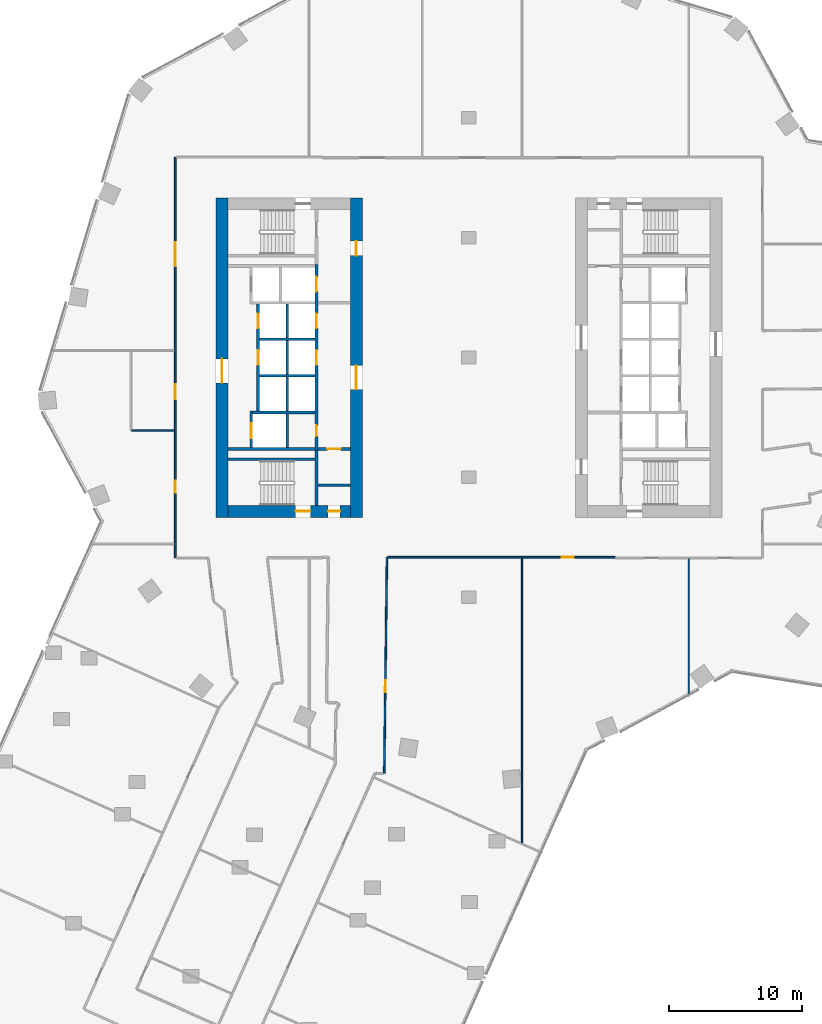
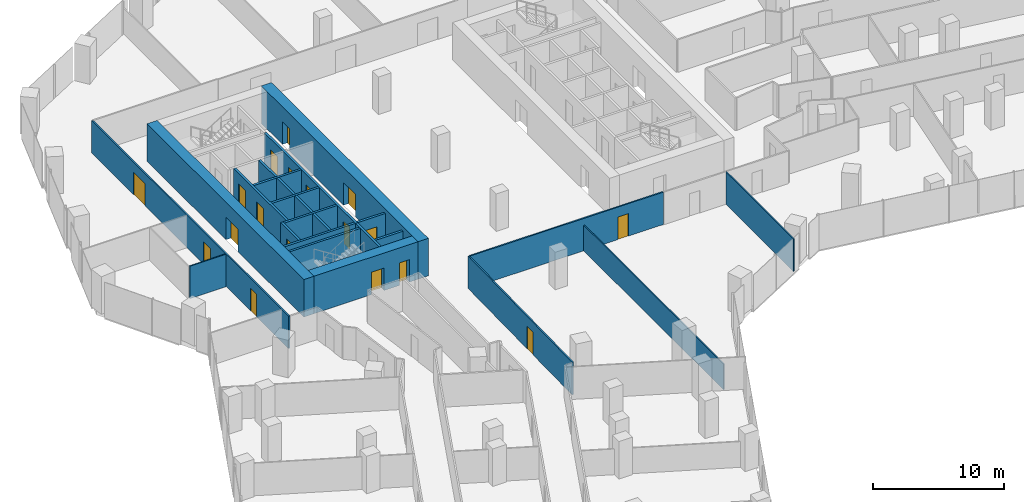
# One storey, part 26 of 34: 24 walls, 18 doors, 18 openings.
"""IFC4 building model written with IfcOpenShell, lengths in metres."""

from ifc_helpers import new_model, si_unit, direction, frame, frame_2d, origin, place, context, subcontext, project, spatial, rectangle, extrude, material, layer, layer_set, type_object, element, fill, save


model = new_model("IFC4")

# Units and contexts
model_context = context("Model", 3, precision=1e-05, world=origin(), true_north=direction((0.0, 1.0)))
body_context = subcontext(model_context, "Body", "Model", "MODEL_VIEW")
ifc_project = project(units=[si_unit("LENGTHUNIT", "METRE"), si_unit("AREAUNIT", "SQUARE_METRE"), si_unit("VOLUMEUNIT", "CUBIC_METRE"), si_unit("PLANEANGLEUNIT", "RADIAN"), si_unit("MASSUNIT", "GRAM", prefix="KILO")], contexts=[model_context])

# Site, building, storey
site_placement = place(None, origin())
site = spatial("IfcSite", under=ifc_project, at=site_placement, CompositionType="ELEMENT")
building_placement = place(site_placement, origin())
building = spatial("IfcBuilding", under=site, at=building_placement, Name="Orlundy Tower", CompositionType="ELEMENT")
storey_placement = place(building_placement, frame((0.0, 0.0, 134.199951171875)))
storey = spatial("IfcBuildingStorey", under=building, at=storey_placement, Name="L34", CompositionType="ELEMENT", Elevation=134.199951171875)

# Wall, openings, doors
ifc_material_1 = material(Name="Concrete C80/95", Category="concrete")
ifc_layer_1 = layer(ifc_material_1, 0.89990234375)
ifc_layer_set_1 = layer_set([ifc_layer_1], Name="CORE WALL 900 C80/95")
wall_type_1 = type_object("IfcWallType", Name="CORE WALL 900 C80/95", PredefinedType="SHEAR", material=ifc_layer_set_1)
wall_1_placement = place(storey_placement, frame((-18.10009765625, -11.550048828125, 0.0), z_axis=(0.0, 0.0, 1.0), x_axis=(1.0, 0.0, 0.0)))
wall_1 = element("IfcWall", 1, at=wall_1_placement, inside=storey, type_object=wall_type_1, Name="Core wall W-S L34", PredefinedType="SHEAR", context=body_context, shape_type="SweptSolid", body=[
    extrude(rectangle(XDim=9.2001953125, YDim=0.89990234375, at=frame_2d((4.60009765625, 0.0))), origin(), (0.0, 0.0, 1.0), 3.5),
])
opening_1_placement = place(wall_1_placement, frame((5.10009765625, 0.0, 0.0)))
opening_1 = element("IfcOpeningElement", 2, at=opening_1_placement, cuts=wall_1, Name="Opening 26013", PredefinedType="OPENING", context=body_context, shape_type="SweptSolid", body=[
    extrude(rectangle(XDim=1.10009765625, YDim=2.10009765625, at=frame_2d((0.550048828125, 1.050048828125))), frame((0.0, 0.4599609375, 0.0), z_axis=(0.0, -1.0, 0.0), x_axis=(1.0, 0.0, 0.0)), (0.0, 0.0, 1.0), 0.919921875),
])
opening_2_placement = place(wall_1_placement, frame((7.530029296875, 0.0, 0.0)))
opening_2 = element("IfcOpeningElement", 3, at=opening_2_placement, cuts=wall_1, Name="Opening 26015", PredefinedType="OPENING", context=body_context, shape_type="SweptSolid", body=[
    extrude(rectangle(XDim=0.89990234375, YDim=2.10009765625, at=frame_2d((0.449951171875, 1.050048828125))), frame((0.0, 0.4599609375, 0.0), z_axis=(0.0, -1.0, 0.0), x_axis=(1.0, 0.0, 0.0)), (0.0, 0.0, 1.0), 0.919921875),
])
ifc_material_2 = material(Name="Timber door set", Category="wood")
door_type_1 = type_object("IfcDoorType", Name="Room Door 900x2100", OperationType="SINGLE_SWING_LEFT", PredefinedType="DOOR", material=ifc_material_2)
door_1_placement = place(opening_2_placement, origin())
door_1 = element("IfcDoor", 4, at=door_1_placement, inside=storey, type_object=door_type_1, Name="Store door 26015", OperationType="SINGLE_SWING_RIGHT", OverallHeight=2.10009765625, OverallWidth=0.89990234375, PredefinedType="DOOR", context=body_context, shape_type="SweptSolid", body=[
    extrude(rectangle(XDim=0.89990234375, YDim=2.10009765625, at=frame_2d((0.449951171875, 1.050048828125))), frame((0.0, 0.02490234375, 0.0), z_axis=(0.0, -1.0, 0.0), x_axis=(1.0, 0.0, 0.0)), (0.0, 0.0, 1.0), 0.050048828125),
])
fill(opening_2, door_1)
ifc_material_3 = material(Name="Steel door set", Category="steel")
door_type_2 = type_object("IfcDoorType", Name="Stair Door 1100x2100", OperationType="SINGLE_SWING_LEFT", PredefinedType="DOOR", material=ifc_material_3)
door_2_placement = place(opening_1_placement, origin())
door_2 = element("IfcDoor", 5, at=door_2_placement, inside=storey, type_object=door_type_2, Name="Stair door 26013", OperationType="SINGLE_SWING_RIGHT", OverallHeight=2.10009765625, OverallWidth=1.10009765625, PredefinedType="DOOR", context=body_context, shape_type="SweptSolid", body=[
    extrude(rectangle(XDim=1.10009765625, YDim=2.10009765625, at=frame_2d((0.550048828125, 1.050048828125))), frame((0.0, 0.02490234375, 0.0), z_axis=(0.0, -1.0, 0.0), x_axis=(1.0, 0.0, 0.0)), (0.0, 0.0, 1.0), 0.050048828125),
])
fill(opening_1, door_2)

# Wall, opening, door
wall_2_placement = place(storey_placement, frame((-18.550048828125, -12.0, 0.0), z_axis=(0.0, 0.0, 1.0), x_axis=(0.0, 1.0, 0.0)))
wall_2 = element("IfcWall", 6, at=wall_2_placement, inside=storey, type_object=wall_type_1, Name="Core wall W-W L34", PredefinedType="SHEAR", context=body_context, shape_type="SweptSolid", body=[
    extrude(rectangle(XDim=24.0, YDim=0.89990234375, at=frame_2d((12.0, 0.0))), origin(), (0.0, 0.0, 1.0), 3.5),
])
opening_3_placement = place(wall_2_placement, frame((10.10009765625, 0.0, 0.0)))
opening_3 = element("IfcOpeningElement", 7, at=opening_3_placement, cuts=wall_2, Name="Opening 26010", PredefinedType="OPENING", context=body_context, shape_type="SweptSolid", body=[
    extrude(rectangle(XDim=1.800048828125, YDim=2.10009765625, at=frame_2d((0.89990234375, 1.050048828125))), frame((0.0, 0.4599609375, 0.0), z_axis=(0.0, -1.0, 0.0), x_axis=(1.0, 0.0, 0.0)), (0.0, 0.0, 1.0), 0.919921875),
])
ifc_material_4 = material(Name="Timber door set", Category="wood")
door_type_3 = type_object("IfcDoorType", Name="Lobby Door 1800x2100", OperationType="DOUBLE_DOOR_DOUBLE_SWING", PredefinedType="DOOR", material=ifc_material_4)
door_3_placement = place(opening_3_placement, origin())
door_3 = element("IfcDoor", 8, at=door_3_placement, inside=storey, type_object=door_type_3, Name="Lift lobby door 26010", OperationType="SINGLE_SWING_LEFT", OverallHeight=2.10009765625, OverallWidth=1.800048828125, PredefinedType="DOOR", context=body_context, shape_type="SweptSolid", body=[
    extrude(rectangle(XDim=1.800048828125, YDim=2.10009765625, at=frame_2d((0.89990234375, 1.050048828125))), frame((0.0, 0.02490234375, 0.0), z_axis=(0.0, -1.0, 0.0), x_axis=(1.0, 0.0, 0.0)), (0.0, 0.0, 1.0), 0.050048828125),
])
fill(opening_3, door_3)

# Wall, openings, doors
wall_3_placement = place(storey_placement, frame((-8.449951171875, -12.0, 0.0), z_axis=(0.0, 0.0, 1.0), x_axis=(0.0, 1.0, 0.0)))
wall_3 = element("IfcWall", 9, at=wall_3_placement, inside=storey, type_object=wall_type_1, Name="Core wall W-E L34", PredefinedType="SHEAR", context=body_context, shape_type="SweptSolid", body=[
    extrude(rectangle(XDim=24.0, YDim=0.89990234375, at=frame_2d((12.0, 0.0))), origin(), (0.0, 0.0, 1.0), 3.5),
])
opening_4_placement = place(wall_3_placement, frame((9.60009765625, 0.0, 0.0)))
opening_4 = element("IfcOpeningElement", 10, at=opening_4_placement, cuts=wall_3, Name="Opening 26009", PredefinedType="OPENING", context=body_context, shape_type="SweptSolid", body=[
    extrude(rectangle(XDim=1.800048828125, YDim=2.10009765625, at=frame_2d((0.89990234375, 1.050048828125))), frame((0.0, 0.4599609375, 0.0), z_axis=(0.0, -1.0, 0.0), x_axis=(1.0, 0.0, 0.0)), (0.0, 0.0, 1.0), 0.919921875),
])
opening_5_placement = place(wall_3_placement, frame((19.64990234375, 0.0, 0.0)))
opening_5 = element("IfcOpeningElement", 11, at=opening_5_placement, cuts=wall_3, Name="Opening 26011", PredefinedType="OPENING", context=body_context, shape_type="SweptSolid", body=[
    extrude(rectangle(XDim=1.10009765625, YDim=2.10009765625, at=frame_2d((0.550048828125, 1.050048828125))), frame((0.0, 0.4599609375, 0.0), z_axis=(0.0, -1.0, 0.0), x_axis=(1.0, 0.0, 0.0)), (0.0, 0.0, 1.0), 0.919921875),
])
ifc_material_5 = material(Name="Steel door set", Category="steel")
door_type_4 = type_object("IfcDoorType", Name="Fire-fighting Lobby Door 1100x2100", OperationType="SINGLE_SWING_LEFT", PredefinedType="DOOR", material=ifc_material_5)
door_4_placement = place(opening_5_placement, origin())
door_4 = element("IfcDoor", 12, at=door_4_placement, inside=storey, type_object=door_type_4, Name="Fire-fighting lobby door 26011", OperationType="SINGLE_SWING_RIGHT", OverallHeight=2.10009765625, OverallWidth=1.10009765625, PredefinedType="DOOR", context=body_context, shape_type="SweptSolid", body=[
    extrude(rectangle(XDim=1.10009765625, YDim=2.10009765625, at=frame_2d((0.550048828125, 1.050048828125))), frame((0.0, 0.02490234375, 0.0), z_axis=(0.0, -1.0, 0.0), x_axis=(1.0, 0.0, 0.0)), (0.0, 0.0, 1.0), 0.050048828125),
])
fill(opening_5, door_4)
door_5_placement = place(opening_4_placement, origin())
door_5 = element("IfcDoor", 13, at=door_5_placement, inside=storey, type_object=door_type_3, Name="Lift lobby door 26009", OperationType="SINGLE_SWING_LEFT", OverallHeight=2.10009765625, OverallWidth=1.800048828125, PredefinedType="DOOR", context=body_context, shape_type="SweptSolid", body=[
    extrude(rectangle(XDim=1.800048828125, YDim=2.10009765625, at=frame_2d((0.89990234375, 1.050048828125))), frame((0.0, 0.02490234375, 0.0), z_axis=(0.0, -1.0, 0.0), x_axis=(1.0, 0.0, 0.0)), (0.0, 0.0, 1.0), 0.050048828125),
])
fill(opening_4, door_5)

# Walls
ifc_material_6 = material(Name="Gypsum board partition")
ifc_layer_2 = layer(ifc_material_6, 0.10009765625)
ifc_layer_set_2 = layer_set([ifc_layer_2], Name="Floor partition 100")
wall_type_2 = type_object("IfcWallType", Name="Floor partition 100", PredefinedType="PARTITIONING", material=ifc_layer_set_2)
wall_4_placement = place(storey_placement, frame((-25.33203125, -5.47509765625, 0.0), z_axis=(0.0, 0.0, 1.0), x_axis=(1.0, 0.0, 0.0)))
element("IfcWall", 14, at=wall_4_placement, inside=storey, type_object=wall_type_2, Name="wall-int-L34-037", PredefinedType="PARTITIONING", context=body_context, shape_type="SweptSolid", body=[
    extrude(rectangle(XDim=3.218994140625, YDim=0.10009765625, at=frame_2d((1.609375, 0.0))), origin(), (0.0, 0.0, 1.0), 3.030029296875),
])
wall_5_placement = place(storey_placement, frame((16.52099609375, -25.458984375, 0.0), z_axis=(0.0, 0.0, 1.0), x_axis=(0.0, 1.0, 0.0)))
element("IfcWall", 15, at=wall_5_placement, inside=storey, type_object=wall_type_2, Name="wall-int-L34-079", PredefinedType="PARTITIONING", context=body_context, shape_type="SweptSolid", body=[
    extrude(rectangle(XDim=10.344970703125, YDim=0.10009765625, at=frame_2d((5.17236328125, 0.0))), origin(), (0.0, 0.0, 1.0), 3.030029296875),
])
ifc_material_7 = material(Name="Gypsum board partition")
ifc_layer_3 = layer(ifc_material_7, 0.10009765625)
ifc_layer_set_3 = layer_set([ifc_layer_3], Name="Floor partition 100 B")
wall_type_3 = type_object("IfcWallType", Name="Floor partition 100 B", PredefinedType="PARTITIONING", material=ifc_layer_set_3)
wall_6_placement = place(storey_placement, frame((4.0, -36.4560546875, 0.0), z_axis=(0.0, 0.0, 1.0), x_axis=(0.0, 1.0, 0.0)))
element("IfcWall", 16, at=wall_6_placement, inside=storey, type_object=wall_type_3, Name="wall-int-L34-081", PredefinedType="PARTITIONING", context=body_context, shape_type="SweptSolid", body=[
    extrude(rectangle(XDim=21.39306640625, YDim=0.10009765625, at=frame_2d((10.696533203125, 0.0))), origin(), (0.0, 0.0, 1.0), 2.39501953125),
])

# Wall, opening, door
ifc_material_8 = material(Name="Gypsum board partition, double layer")
ifc_layer_4 = layer(ifc_material_8, 0.125)
ifc_layer_set_4 = layer_set([ifc_layer_4], Name="Floor partition 125")
wall_type_4 = type_object("IfcWallType", Name="Floor partition 125", PredefinedType="PARTITIONING", material=ifc_layer_set_4)
wall_7_placement = place(storey_placement, frame((10.989013671875, -15.001953125, 0.0), z_axis=(0.0, 0.0, 1.0), x_axis=(-0.999999993459, 0.00011437231, 0.0)))
wall_7 = element("IfcWall", 17, at=wall_7_placement, inside=storey, type_object=wall_type_4, Name="wall-int-L34-034", PredefinedType="PARTITIONING", context=body_context, shape_type="SweptSolid", body=[
    extrude(rectangle(XDim=17.076904296875, YDim=0.125, at=frame_2d((8.53857421875, 0.0))), origin(), (0.0, 0.0, 1.0), 3.030029296875),
])
opening_6_placement = place(wall_7_placement, frame((3.098388671875, 0.0, 0.0)))
opening_6 = element("IfcOpeningElement", 18, at=opening_6_placement, cuts=wall_7, Name="Opening 26123", PredefinedType="OPENING", context=body_context, shape_type="SweptSolid", body=[
    extrude(rectangle(XDim=0.89990234375, YDim=2.10009765625, at=frame_2d((0.449951171875, 1.050048828125))), frame((0.0, 0.072509765625, 0.0), z_axis=(0.0, -1.0, 0.0), x_axis=(1.0, 0.0, 0.0)), (0.0, 0.0, 1.0), 0.14501953125),
])
ifc_material_9 = material(Name="Timber door leaf", Category="wood")
door_type_5 = type_object("IfcDoorType", Name="Floor door single 900 FD30S", OperationType="NOTDEFINED", PredefinedType="DOOR", material=ifc_material_9)
door_6_placement = place(opening_6_placement, origin())
door_6 = element("IfcDoor", 19, at=door_6_placement, inside=storey, type_object=door_type_5, Name="Door 26123", OperationType="SINGLE_SWING_LEFT", OverallHeight=2.10009765625, OverallWidth=0.89990234375, PredefinedType="DOOR", context=body_context, shape_type="SweptSolid", body=[
    extrude(rectangle(XDim=0.89990234375, YDim=2.10009765625, at=frame_2d((0.449951171875, 1.050048828125))), frame((0.0, 0.02490234375, 0.0), z_axis=(0.0, -1.0, 0.0), x_axis=(1.0, 0.0, 0.0)), (0.0, 0.0, 1.0), 0.050048828125),
])
fill(opening_6, door_6)

wall_8_placement = place(storey_placement, frame((-6.14990234375, -15.0, 0.0), z_axis=(0.0, 0.0, 1.0), x_axis=(-0.012506726311, -0.99992178784, 0.0)))
wall_8 = element("IfcWall", 20, at=wall_8_placement, inside=storey, type_object=wall_type_4, Name="wall-int-L34-073", PredefinedType="PARTITIONING", context=body_context, shape_type="SweptSolid", body=[
    extrude(rectangle(XDim=16.2412109375, YDim=0.125, at=frame_2d((8.12060546875, 0.0))), origin(), (0.0, 0.0, 1.0), 3.030029296875),
])
opening_7_placement = place(wall_8_placement, frame((9.227294921875, 0.0, 0.0)))
opening_7 = element("IfcOpeningElement", 21, at=opening_7_placement, cuts=wall_8, Name="Opening 26122", PredefinedType="OPENING", context=body_context, shape_type="SweptSolid", body=[
    extrude(rectangle(XDim=0.89990234375, YDim=2.10009765625, at=frame_2d((0.449951171875, 1.050048828125))), frame((0.0, 0.072509765625, 0.0), z_axis=(0.0, -1.0, 0.0), x_axis=(1.0, 0.0, 0.0)), (0.0, 0.0, 1.0), 0.14501953125),
])
door_7_placement = place(opening_7_placement, origin())
door_7 = element("IfcDoor", 22, at=door_7_placement, inside=storey, type_object=door_type_5, Name="Door 26122", OperationType="SINGLE_SWING_RIGHT", OverallHeight=2.10009765625, OverallWidth=0.89990234375, PredefinedType="DOOR", context=body_context, shape_type="SweptSolid", body=[
    extrude(rectangle(XDim=0.89990234375, YDim=2.10009765625, at=frame_2d((0.449951171875, 1.050048828125))), frame((0.0, 0.02490234375, 0.0), z_axis=(0.0, -1.0, 0.0), x_axis=(1.0, 0.0, 0.0)), (0.0, 0.0, 1.0), 0.050048828125),
])
fill(opening_7, door_7)

# Wall, openings, doors
wall_9_placement = place(storey_placement, frame((-22.050048828125, -15.051025390625, 0.0), z_axis=(0.0, 0.0, 1.0), x_axis=(0.0, 1.0, 0.0)))
wall_9 = element("IfcWall", 23, at=wall_9_placement, inside=storey, type_object=wall_type_4, Name="wall-int-L34-086", PredefinedType="PARTITIONING", context=body_context, shape_type="SweptSolid", body=[
    extrude(rectangle(XDim=30.10205078125, YDim=0.125, at=frame_2d((15.051025390625, 0.0))), origin(), (0.0, 0.0, 1.0), 3.030029296875),
])
opening_8_placement = place(wall_9_placement, frame((4.90087890625, 0.0, 0.0)))
opening_8 = element("IfcOpeningElement", 24, at=opening_8_placement, cuts=wall_9, Name="Opening 26117", PredefinedType="OPENING", context=body_context, shape_type="SweptSolid", body=[
    extrude(rectangle(XDim=0.89990234375, YDim=2.10009765625, at=frame_2d((0.449951171875, 1.050048828125))), frame((0.0, 0.072509765625, 0.0), z_axis=(0.0, -1.0, 0.0), x_axis=(1.0, 0.0, 0.0)), (0.0, 0.0, 1.0), 0.14501953125),
])
opening_9_placement = place(wall_9_placement, frame((21.925048828125, 0.0, 0.0)))
opening_9 = element("IfcOpeningElement", 25, at=opening_9_placement, cuts=wall_9, Name="Opening 26133", PredefinedType="OPENING", context=body_context, shape_type="SweptSolid", body=[
    extrude(rectangle(XDim=1.800048828125, YDim=2.10009765625, at=frame_2d((0.89990234375, 1.050048828125))), frame((0.0, 0.072509765625, 0.0), z_axis=(0.0, -1.0, 0.0), x_axis=(1.0, 0.0, 0.0)), (0.0, 0.0, 1.0), 0.14501953125),
])
opening_10_placement = place(wall_9_placement, frame((11.926025390625, 0.0, 0.0)))
opening_10 = element("IfcOpeningElement", 26, at=opening_10_placement, cuts=wall_9, Name="Opening 26134", PredefinedType="OPENING", context=body_context, shape_type="SweptSolid", body=[
    extrude(rectangle(XDim=1.10009765625, YDim=2.10009765625, at=frame_2d((0.550048828125, 1.050048828125))), frame((0.0, 0.072509765625, 0.0), z_axis=(0.0, -1.0, 0.0), x_axis=(1.0, 0.0, 0.0)), (0.0, 0.0, 1.0), 0.14501953125),
])
ifc_material_10 = material(Name="Timber door leaf", Category="wood")
door_type_6 = type_object("IfcDoorType", Name="Floor door double 1800 FD30S", OperationType="NOTDEFINED", PredefinedType="DOOR", material=ifc_material_10)
door_8_placement = place(opening_9_placement, origin())
door_8 = element("IfcDoor", 27, at=door_8_placement, inside=storey, type_object=door_type_6, Name="Door 26133", OperationType="DOUBLE_DOOR_SINGLE_SWING", OverallHeight=2.10009765625, OverallWidth=1.800048828125, PredefinedType="DOOR", context=body_context, shape_type="SweptSolid", body=[
    extrude(rectangle(XDim=1.800048828125, YDim=2.10009765625, at=frame_2d((0.89990234375, 1.050048828125))), frame((0.0, 0.02490234375, 0.0), z_axis=(0.0, -1.0, 0.0), x_axis=(1.0, 0.0, 0.0)), (0.0, 0.0, 1.0), 0.050048828125),
])
fill(opening_9, door_8)
door_9_placement = place(opening_8_placement, origin())
door_9 = element("IfcDoor", 28, at=door_9_placement, inside=storey, type_object=door_type_5, Name="Door 26117", OperationType="SINGLE_SWING_LEFT", OverallHeight=2.10009765625, OverallWidth=0.89990234375, PredefinedType="DOOR", context=body_context, shape_type="SweptSolid", body=[
    extrude(rectangle(XDim=0.89990234375, YDim=2.10009765625, at=frame_2d((0.449951171875, 1.050048828125))), frame((0.0, 0.02490234375, 0.0), z_axis=(0.0, -1.0, 0.0), x_axis=(1.0, 0.0, 0.0)), (0.0, 0.0, 1.0), 0.050048828125),
])
fill(opening_8, door_9)
ifc_material_11 = material(Name="Timber door leaf", Category="wood")
door_type_7 = type_object("IfcDoorType", Name="Floor door xwide 1100 FD30S", OperationType="NOTDEFINED", PredefinedType="DOOR", material=ifc_material_11)
door_10_placement = place(opening_10_placement, origin())
door_10 = element("IfcDoor", 29, at=door_10_placement, inside=storey, type_object=door_type_7, Name="Door 26134", OperationType="SINGLE_SWING_LEFT", OverallHeight=2.10009765625, OverallWidth=1.10009765625, PredefinedType="DOOR", context=body_context, shape_type="SweptSolid", body=[
    extrude(rectangle(XDim=1.10009765625, YDim=2.10009765625, at=frame_2d((0.550048828125, 1.050048828125))), frame((0.0, 0.02490234375, 0.0), z_axis=(0.0, -1.0, 0.0), x_axis=(1.0, 0.0, 0.0)), (0.0, 0.0, 1.0), 0.050048828125),
])
fill(opening_10, door_10)

# Walls
ifc_material_12 = material(Name="Concrete C40/50", Category="concrete")
ifc_layer_5 = layer(ifc_material_12, 0.199951171875)
ifc_layer_set_5 = layer_set([ifc_layer_5], Name="Load-bearing Shaft Wall 200")
wall_type_5 = type_object("IfcWallType", Name="Load-bearing Shaft Wall 200", PredefinedType="SOLIDWALL", material=ifc_layer_set_5)
for number, where, z_axis, x_axis, name in (
    (30, (-11.5400390625, -1.375, 0.0), (0.0, 0.0, 1.0), (-1.0, 0.0, 0.0), "Shaft wall W26-cross-1.375"),
    (31, (-11.5400390625, 1.375, 0.0), (0.0, 0.0, 1.0), (-1.0, 0.0, 0.0), "Shaft wall W26-cross+1.375"),
):
    element("IfcWall", number, at=place(storey_placement, frame(where, z_axis=z_axis, x_axis=x_axis)), inside=storey, type_object=wall_type_5, Name=name, PredefinedType="SOLIDWALL", context=body_context, shape_type="SweptSolid", body=[
        extrude(rectangle(XDim=4.199951171875, YDim=0.199951171875, at=frame_2d((2.10009765625, 0.0))), origin(), (0.0, 0.0, 1.0), 3.090087890625),
    ])

# Wall, openings, doors
wall_10_placement = place(storey_placement, frame((-11.43994140625, -6.97509765625, 0.0), z_axis=(0.0, 0.0, 1.0), x_axis=(0.0, 1.0, 0.0)))
wall_10 = element("IfcWall", 32, at=wall_10_placement, inside=storey, type_object=wall_type_5, Name="Shaft wall W26-front-h", PredefinedType="SOLIDWALL", context=body_context, shape_type="SweptSolid", body=[
    extrude(rectangle(XDim=13.9501953125, YDim=0.199951171875, at=frame_2d((6.97509765625, 0.0))), origin(), (0.0, 0.0, 1.0), 3.090087890625),
])
opening_11_placement = place(wall_10_placement, frame((6.425048828125, 0.0, 0.0)))
opening_11 = element("IfcOpeningElement", 33, at=opening_11_placement, cuts=wall_10, Name="Opening 26002", PredefinedType="OPENING", context=body_context, shape_type="SweptSolid", body=[
    extrude(rectangle(XDim=1.10009765625, YDim=2.10009765625, at=frame_2d((0.550048828125, 1.050048828125))), frame((0.0, 0.110107421875, 0.0), z_axis=(0.0, -1.0, 0.0), x_axis=(1.0, 0.0, 0.0)), (0.0, 0.0, 1.0), 0.22021484375),
])
opening_12_placement = place(wall_10_placement, frame((9.175048828125, 0.0, 0.0)))
opening_12 = element("IfcOpeningElement", 34, at=opening_12_placement, cuts=wall_10, Name="Opening 26004", PredefinedType="OPENING", context=body_context, shape_type="SweptSolid", body=[
    extrude(rectangle(XDim=1.10009765625, YDim=2.10009765625, at=frame_2d((0.550048828125, 1.050048828125))), frame((0.0, 0.110107421875, 0.0), z_axis=(0.0, -1.0, 0.0), x_axis=(1.0, 0.0, 0.0)), (0.0, 0.0, 1.0), 0.22021484375),
])
opening_13_placement = place(wall_10_placement, frame((11.925048828125, 0.0, 0.0)))
opening_13 = element("IfcOpeningElement", 35, at=opening_13_placement, cuts=wall_10, Name="Opening 26006", PredefinedType="OPENING", context=body_context, shape_type="SweptSolid", body=[
    extrude(rectangle(XDim=1.10009765625, YDim=2.10009765625, at=frame_2d((0.550048828125, 1.050048828125))), frame((0.0, 0.110107421875, 0.0), z_axis=(0.0, -1.0, 0.0), x_axis=(1.0, 0.0, 0.0)), (0.0, 0.0, 1.0), 0.22021484375),
])
opening_14_placement = place(wall_10_placement, frame((1.074951171875, 0.0, 0.0)))
opening_14 = element("IfcOpeningElement", 36, at=opening_14_placement, cuts=wall_10, Name="Opening 26008", PredefinedType="OPENING", context=body_context, shape_type="SweptSolid", body=[
    extrude(rectangle(XDim=0.800048828125, YDim=2.10009765625, at=frame_2d((0.39990234375, 1.050048828125))), frame((0.0, 0.110107421875, 0.0), z_axis=(0.0, -1.0, 0.0), x_axis=(1.0, 0.0, 0.0)), (0.0, 0.0, 1.0), 0.22021484375),
])
ifc_material_13 = material(Name="Steel door set", Category="steel")
door_type_8 = type_object("IfcDoorType", Name="Landing Door 1100x2100", OperationType="DOUBLE_DOOR_SLIDING", PredefinedType="DOOR", material=ifc_material_13)
door_11_placement = place(opening_11_placement, origin())
door_11 = element("IfcDoor", 37, at=door_11_placement, inside=storey, type_object=door_type_8, Name="Lift landing door LP-05 26002", OperationType="DOUBLE_DOOR_SLIDING", OverallHeight=2.10009765625, OverallWidth=1.10009765625, PredefinedType="DOOR", context=body_context, shape_type="SweptSolid", body=[
    extrude(rectangle(XDim=1.10009765625, YDim=2.10009765625, at=frame_2d((0.550048828125, 1.050048828125))), frame((0.0, 0.02490234375, 0.0), z_axis=(0.0, -1.0, 0.0), x_axis=(1.0, 0.0, 0.0)), (0.0, 0.0, 1.0), 0.050048828125),
])
fill(opening_11, door_11)
door_12_placement = place(opening_12_placement, origin())
door_12 = element("IfcDoor", 38, at=door_12_placement, inside=storey, type_object=door_type_8, Name="Lift landing door LP-02 26004", OperationType="DOUBLE_DOOR_SLIDING", OverallHeight=2.10009765625, OverallWidth=1.10009765625, PredefinedType="DOOR", context=body_context, shape_type="SweptSolid", body=[
    extrude(rectangle(XDim=1.10009765625, YDim=2.10009765625, at=frame_2d((0.550048828125, 1.050048828125))), frame((0.0, 0.02490234375, 0.0), z_axis=(0.0, -1.0, 0.0), x_axis=(1.0, 0.0, 0.0)), (0.0, 0.0, 1.0), 0.050048828125),
])
fill(opening_12, door_12)
door_13_placement = place(opening_13_placement, origin())
door_13 = element("IfcDoor", 39, at=door_13_placement, inside=storey, type_object=door_type_8, Name="Lift landing door FL1 26006", OperationType="DOUBLE_DOOR_SLIDING", OverallHeight=2.10009765625, OverallWidth=1.10009765625, PredefinedType="DOOR", context=body_context, shape_type="SweptSolid", body=[
    extrude(rectangle(XDim=1.10009765625, YDim=2.10009765625, at=frame_2d((0.550048828125, 1.050048828125))), frame((0.0, 0.02490234375, 0.0), z_axis=(0.0, -1.0, 0.0), x_axis=(1.0, 0.0, 0.0)), (0.0, 0.0, 1.0), 0.050048828125),
])
fill(opening_13, door_13)
ifc_material_14 = material(Name="Timber door set", Category="wood")
door_type_9 = type_object("IfcDoorType", Name="Riser Door 800x2100", OperationType="SINGLE_SWING_LEFT", PredefinedType="DOOR", material=ifc_material_14)
door_14_placement = place(opening_14_placement, origin())
door_14 = element("IfcDoor", 40, at=door_14_placement, inside=storey, type_object=door_type_9, Name="Telecom Room door 26008", OperationType="SINGLE_SWING_LEFT", OverallHeight=2.10009765625, OverallWidth=0.800048828125, PredefinedType="DOOR", context=body_context, shape_type="SweptSolid", body=[
    extrude(rectangle(XDim=0.800048828125, YDim=2.10009765625, at=frame_2d((0.39990234375, 1.050048828125))), frame((0.0, 0.02490234375, 0.0), z_axis=(0.0, -1.0, 0.0), x_axis=(1.0, 0.0, 0.0)), (0.0, 0.0, 1.0), 0.050048828125),
])
fill(opening_14, door_14)

# Walls
for number, where, z_axis, x_axis, name in (
    (41, (-13.639892578125, -4.02490234375, 0.0), (0.0, 0.0, 1.0), (0.0, 1.0, 0.0), "Shaft wall W26-mid-a.1"),
    (42, (-13.639892578125, -1.27490234375, 0.0), (0.0, 0.0, 1.0), (0.0, 1.0, 0.0), "Shaft wall W26-mid-a.2"),
    (43, (-13.639892578125, 1.47509765625, 0.0), (0.0, 0.0, 1.0), (0.0, 1.0, 0.0), "Shaft wall W26-mid-a.3"),
):
    element("IfcWall", number, at=place(storey_placement, frame(where, z_axis=z_axis, x_axis=x_axis)), inside=storey, type_object=wall_type_5, Name=name, PredefinedType="SOLIDWALL", context=body_context, shape_type="SweptSolid", body=[
        extrude(rectangle(XDim=2.5498046875, YDim=0.199951171875, at=frame_2d((1.27490234375, 0.0))), origin(), (0.0, 0.0, 1.0), 3.090087890625),
    ])

# Wall, openings, doors
wall_11_placement = place(storey_placement, frame((-15.840087890625, -4.02490234375, 0.0), z_axis=(0.0, 0.0, 1.0), x_axis=(0.0, 1.0, 0.0)))
wall_11 = element("IfcWall", 44, at=wall_11_placement, inside=storey, type_object=wall_type_5, Name="Shaft wall W26-front-o-b", PredefinedType="SOLIDWALL", context=body_context, shape_type="SweptSolid", body=[
    extrude(rectangle(XDim=8.0498046875, YDim=0.199951171875, at=frame_2d((4.02490234375, 0.0))), origin(), (0.0, 0.0, 1.0), 3.090087890625),
])
opening_15_placement = place(wall_11_placement, frame((3.47509765625, 0.0, 0.0)))
opening_15 = element("IfcOpeningElement", 45, at=opening_15_placement, cuts=wall_11, Name="Opening 26003", PredefinedType="OPENING", context=body_context, shape_type="SweptSolid", body=[
    extrude(rectangle(XDim=1.10009765625, YDim=2.10009765625, at=frame_2d((0.550048828125, 1.050048828125))), frame((0.0, 0.110107421875, 0.0), z_axis=(0.0, -1.0, 0.0), x_axis=(1.0, 0.0, 0.0)), (0.0, 0.0, 1.0), 0.22021484375),
])
opening_16_placement = place(wall_11_placement, frame((6.22509765625, 0.0, 0.0)))
opening_16 = element("IfcOpeningElement", 46, at=opening_16_placement, cuts=wall_11, Name="Opening 26005", PredefinedType="OPENING", context=body_context, shape_type="SweptSolid", body=[
    extrude(rectangle(XDim=1.10009765625, YDim=2.10009765625, at=frame_2d((0.550048828125, 1.050048828125))), frame((0.0, 0.110107421875, 0.0), z_axis=(0.0, -1.0, 0.0), x_axis=(1.0, 0.0, 0.0)), (0.0, 0.0, 1.0), 0.22021484375),
])
door_15_placement = place(opening_15_placement, origin())
door_15 = element("IfcDoor", 47, at=door_15_placement, inside=storey, type_object=door_type_8, Name="Lift landing door LP-01 26003", OperationType="DOUBLE_DOOR_SLIDING", OverallHeight=2.10009765625, OverallWidth=1.10009765625, PredefinedType="DOOR", context=body_context, shape_type="SweptSolid", body=[
    extrude(rectangle(XDim=1.10009765625, YDim=2.10009765625, at=frame_2d((0.550048828125, 1.050048828125))), frame((0.0, 0.02490234375, 0.0), z_axis=(0.0, -1.0, 0.0), x_axis=(1.0, 0.0, 0.0)), (0.0, 0.0, 1.0), 0.050048828125),
])
fill(opening_15, door_15)
door_16_placement = place(opening_16_placement, origin())
door_16 = element("IfcDoor", 48, at=door_16_placement, inside=storey, type_object=door_type_8, Name="Lift landing door LP-03 26005", OperationType="DOUBLE_DOOR_SLIDING", OverallHeight=2.10009765625, OverallWidth=1.10009765625, PredefinedType="DOOR", context=body_context, shape_type="SweptSolid", body=[
    extrude(rectangle(XDim=1.10009765625, YDim=2.10009765625, at=frame_2d((0.550048828125, 1.050048828125))), frame((0.0, 0.02490234375, 0.0), z_axis=(0.0, -1.0, 0.0), x_axis=(1.0, 0.0, 0.0)), (0.0, 0.0, 1.0), 0.050048828125),
])
fill(opening_16, door_16)

# Walls
wall_12_placement = place(storey_placement, frame((-11.43994140625, -11.10009765625, 0.0), z_axis=(0.0, 0.0, 1.0), x_axis=(0.0, 1.0, 0.0)))
element("IfcWall", 49, at=wall_12_placement, inside=storey, type_object=wall_type_5, Name="Shaft wall W26-stair-end-s", PredefinedType="SOLIDWALL", context=body_context, shape_type="SweptSolid", body=[
    extrude(rectangle(XDim=4.125, YDim=0.199951171875, at=frame_2d((2.0625, 0.0))), origin(), (0.0, 0.0, 1.0), 3.090087890625),
])
wall_13_placement = place(storey_placement, frame((-11.5400390625, -7.64990234375, 0.0), z_axis=(0.0, 0.0, 1.0), x_axis=(-1.0, 0.0, 0.0)))
element("IfcWall", 50, at=wall_13_placement, inside=storey, type_object=wall_type_5, Name="Shaft wall W26-stair-side-s", PredefinedType="SOLIDWALL", context=body_context, shape_type="SweptSolid", body=[
    extrude(rectangle(XDim=6.56005859375, YDim=0.199951171875, at=frame_2d((3.280029296875, 0.0))), origin(), (0.0, 0.0, 1.0), 3.090087890625),
])

# Wall, opening, door
ifc_material_15 = material(Name="Gypsum board partition on steel studs", Category="steel")
ifc_layer_6 = layer(ifc_material_15, 0.199951171875)
ifc_layer_set_6 = layer_set([ifc_layer_6], Name="Partition 200")
wall_type_6 = type_object("IfcWallType", Name="Partition 200", PredefinedType="PARTITIONING", material=ifc_layer_set_6)
wall_14_placement = place(storey_placement, frame((-8.89990234375, -6.875, 0.0), z_axis=(0.0, 0.0, 1.0), x_axis=(-1.0, 0.0, 0.0)))
wall_14 = element("IfcWall", 51, at=wall_14_placement, inside=storey, type_object=wall_type_6, Name="Partition wall W26-end-s", PredefinedType="PARTITIONING", context=body_context, shape_type="SweptSolid", body=[
    extrude(rectangle(XDim=2.440185546875, YDim=0.199951171875, at=frame_2d((1.22021484375, 0.0))), origin(), (0.0, 0.0, 1.0), 3.090087890625),
])
opening_17_placement = place(wall_14_placement, frame((0.719970703125, 0.0, 0.0)))
opening_17 = element("IfcOpeningElement", 52, at=opening_17_placement, cuts=wall_14, Name="Opening 26016", PredefinedType="OPENING", context=body_context, shape_type="SweptSolid", body=[
    extrude(rectangle(XDim=1.0, YDim=2.10009765625, at=frame_2d((0.5, 1.050048828125))), frame((0.0, 0.110107421875, 0.0), z_axis=(0.0, -1.0, 0.0), x_axis=(1.0, 0.0, 0.0)), (0.0, 0.0, 1.0), 0.22021484375),
])
ifc_material_16 = material(Name="Timber door set", Category="wood")
door_type_10 = type_object("IfcDoorType", Name="Accessible Door 1000x2100", OperationType="SINGLE_SWING_LEFT", PredefinedType="DOOR", material=ifc_material_16)
door_17_placement = place(opening_17_placement, origin())
door_17 = element("IfcDoor", 53, at=door_17_placement, inside=storey, type_object=door_type_10, Name="Accessible WC door 26016", OperationType="SINGLE_SWING_RIGHT", OverallHeight=2.10009765625, OverallWidth=1.0, PredefinedType="DOOR", context=body_context, shape_type="SweptSolid", body=[
    extrude(rectangle(XDim=1.0, YDim=2.10009765625, at=frame_2d((0.5, 1.050048828125))), frame((0.0, 0.02490234375, 0.0), z_axis=(0.0, -1.0, 0.0), x_axis=(1.0, 0.0, 0.0)), (0.0, 0.0, 1.0), 0.050048828125),
])
fill(opening_17, door_17)

# Walls
wall_15_placement = place(storey_placement, frame((-8.89990234375, -9.60009765625, 0.0), z_axis=(0.0, 0.0, 1.0), x_axis=(-1.0, 0.0, 0.0)))
element("IfcWall", 54, at=wall_15_placement, inside=storey, type_object=wall_type_6, Name="Partition wall W26-room-s0", PredefinedType="PARTITIONING", context=body_context, shape_type="SweptSolid", body=[
    extrude(rectangle(XDim=2.440185546875, YDim=0.199951171875, at=frame_2d((1.22021484375, 0.0))), origin(), (0.0, 0.0, 1.0), 3.090087890625),
])
ifc_material_17 = material(Name="Fire-rated blockwork shaft wall", Category="masonry")
ifc_layer_7 = layer(ifc_material_17, 0.199951171875)
ifc_layer_set_7 = layer_set([ifc_layer_7], Name="Shaft Wall 200")
wall_type_7 = type_object("IfcWallType", Name="Shaft Wall 200", PredefinedType="SOLIDWALL", material=ifc_layer_set_7)
wall_16_placement = place(storey_placement, frame((-11.5400390625, -6.875, 0.0), z_axis=(0.0, 0.0, 1.0), x_axis=(-1.0, 0.0, 0.0)))
element("IfcWall", 55, at=wall_16_placement, inside=storey, type_object=wall_type_7, Name="Shaft wall W26-zone-s", PredefinedType="SOLIDWALL", context=body_context, shape_type="SweptSolid", body=[
    extrude(rectangle(XDim=6.56005859375, YDim=0.199951171875, at=frame_2d((3.280029296875, 0.0))), origin(), (0.0, 0.0, 1.0), 3.090087890625),
])
wall_17_placement = place(storey_placement, frame((-11.5400390625, -4.125, 0.0), z_axis=(0.0, 0.0, 1.0), x_axis=(-1.0, 0.0, 0.0)))
element("IfcWall", 56, at=wall_17_placement, inside=storey, type_object=wall_type_7, Name="Shaft wall W26-cross-4.125", PredefinedType="SOLIDWALL", context=body_context, shape_type="SweptSolid", body=[
    extrude(rectangle(XDim=4.699951171875, YDim=0.199951171875, at=frame_2d((2.35009765625, 0.0))), origin(), (0.0, 0.0, 1.0), 3.090087890625),
])
wall_18_placement = place(storey_placement, frame((-13.639892578125, -6.77490234375, 0.0), z_axis=(0.0, 0.0, 1.0), x_axis=(0.0, 1.0, 0.0)))
element("IfcWall", 57, at=wall_18_placement, inside=storey, type_object=wall_type_7, Name="Shaft wall W26-mid-a", PredefinedType="SOLIDWALL", context=body_context, shape_type="SweptSolid", body=[
    extrude(rectangle(XDim=2.5498046875, YDim=0.199951171875, at=frame_2d((1.27490234375, 0.0))), origin(), (0.0, 0.0, 1.0), 3.090087890625),
])

# Wall, opening, door
wall_19_placement = place(storey_placement, frame((-16.340087890625, -6.77490234375, 0.0), z_axis=(0.0, 0.0, 1.0), x_axis=(0.0, 1.0, 0.0)))
wall_19 = element("IfcWall", 58, at=wall_19_placement, inside=storey, type_object=wall_type_7, Name="Shaft wall W26-front-o-a", PredefinedType="SOLIDWALL", context=body_context, shape_type="SweptSolid", body=[
    extrude(rectangle(XDim=2.75, YDim=0.199951171875, at=frame_2d((1.375, 0.0))), origin(), (0.0, 0.0, 1.0), 3.090087890625),
])
opening_18_placement = place(wall_19_placement, frame((0.72509765625, 0.0, 0.0)))
opening_18 = element("IfcOpeningElement", 59, at=opening_18_placement, cuts=wall_19, Name="Opening 26001", PredefinedType="OPENING", context=body_context, shape_type="SweptSolid", body=[
    extrude(rectangle(XDim=1.10009765625, YDim=2.10009765625, at=frame_2d((0.550048828125, 1.050048828125))), frame((0.0, 0.110107421875, 0.0), z_axis=(0.0, -1.0, 0.0), x_axis=(1.0, 0.0, 0.0)), (0.0, 0.0, 1.0), 0.22021484375),
])
door_18_placement = place(opening_18_placement, origin())
door_18 = element("IfcDoor", 60, at=door_18_placement, inside=storey, type_object=door_type_8, Name="Lift landing door LV-01 26001", OperationType="DOUBLE_DOOR_SLIDING", OverallHeight=2.10009765625, OverallWidth=1.10009765625, PredefinedType="DOOR", context=body_context, shape_type="SweptSolid", body=[
    extrude(rectangle(XDim=1.10009765625, YDim=2.10009765625, at=frame_2d((0.550048828125, 1.050048828125))), frame((0.0, 0.02490234375, 0.0), z_axis=(0.0, -1.0, 0.0), x_axis=(1.0, 0.0, 0.0)), (0.0, 0.0, 1.0), 0.050048828125),
])
fill(opening_18, door_18)

save(model, "model.ifc")
